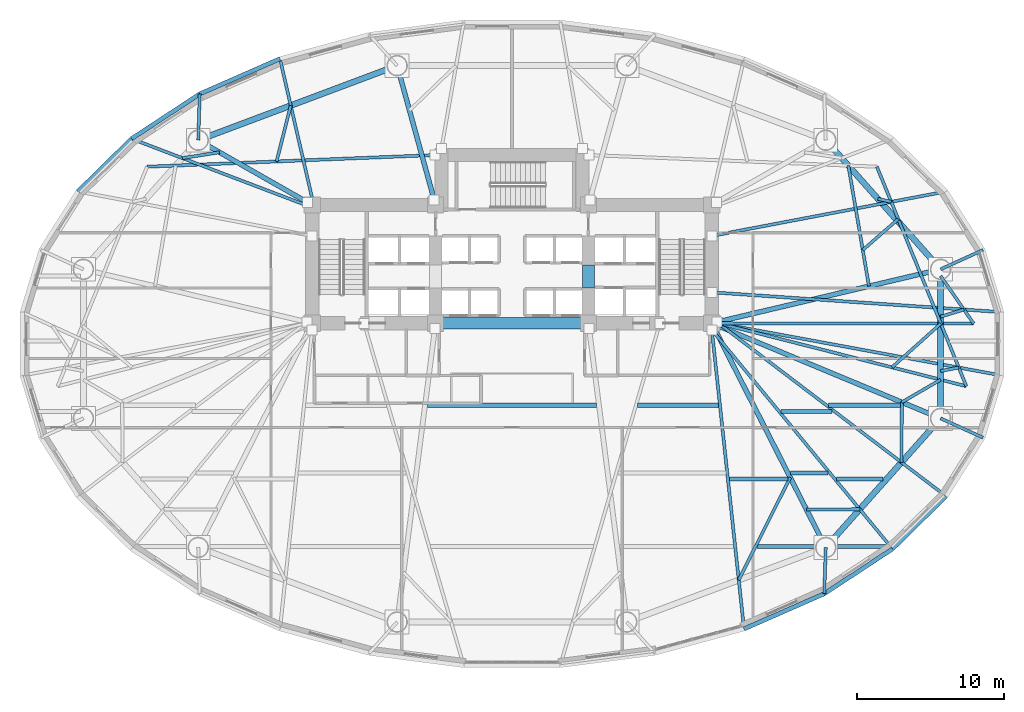
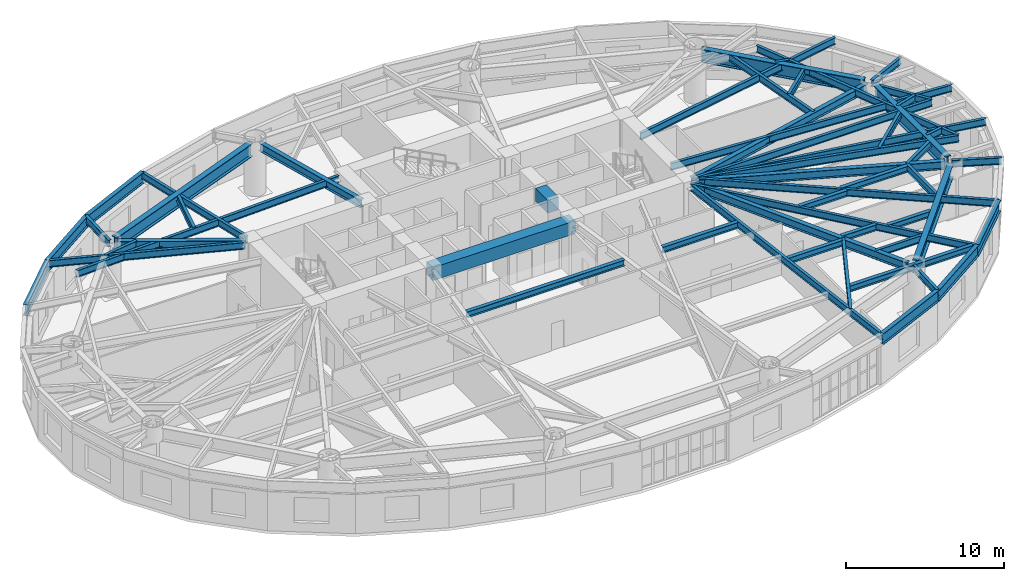
# One storey, part 5 of 18: 54 beams.
"""IFC4 building model written with IfcOpenShell, lengths in metres."""

from ifc_helpers import new_model, si_unit, direction, frame, origin, origin_2d, place, context, subcontext, project, spatial, rectangle, i_section, extrude, material, material_profile, profile_set, type_object, element, save


model = new_model("IFC4")

# Units and contexts
model_context = context("Model", 3, precision=1e-05, world=origin(), true_north=direction((0.0, 1.0)))
body_context = subcontext(model_context, "Body", "Model", "MODEL_VIEW")
ifc_project = project(units=[si_unit("LENGTHUNIT", "METRE"), si_unit("AREAUNIT", "SQUARE_METRE"), si_unit("VOLUMEUNIT", "CUBIC_METRE"), si_unit("PLANEANGLEUNIT", "RADIAN"), si_unit("MASSUNIT", "GRAM", prefix="KILO")], contexts=[model_context])

# Site, building, storey
site_placement = place(None, origin())
site = spatial("IfcSite", under=ifc_project, at=site_placement, CompositionType="ELEMENT")
building_placement = place(site_placement, origin())
building = spatial("IfcBuilding", under=site, at=building_placement, Name="Keldmark Tower", CompositionType="ELEMENT")
storey_placement = place(building_placement, frame((0.0, 0.0, 6.0)))
storey = spatial("IfcBuildingStorey", under=building, at=storey_placement, Name="L01", CompositionType="ELEMENT", Elevation=6.0)

# Beams
ifc_material_1 = material(Name="Steel ASTM A992 Grade 50", Category="steel")
ifc_material_profile_1 = material_profile(ifc_material_1, i_section(OverallWidth=0.280029296875, OverallDepth=0.462890625, WebThickness=0.0107421875, FlangeThickness=0.017333984375, at=origin_2d()), Name="W18X76")
ifc_profile_set_1 = profile_set([ifc_material_profile_1], Name="Steel ASTM A992 Grade 50")
beam_type_1 = type_object("IfcBeamType", Name="Composite Floor Joist W18X76", PredefinedType="JOIST", material=ifc_profile_set_1)
beam_1_placement = place(storey_placement, frame((16.68310546875, -13.800048828125, 3.74853515625), z_axis=(1.0, 0.0, 0.0), x_axis=(0.0, 1.0, 0.0)))
element("IfcBeam", 1, at=beam_1_placement, inside=storey, type_object=beam_type_1, Name="L01 Composite Floor Joist J05", PredefinedType="JOIST", context=body_context, shape_type="SweptSolid", body=[
    extrude(i_section(OverallWidth=0.280029296875, OverallDepth=0.462890625, WebThickness=0.0107421875, FlangeThickness=0.017333984375, at=origin_2d()), origin(), (0.0, 0.0, 1.0), 8.95751953125),
])
beam_2_placement = place(storey_placement, frame((14.789794921875, -9.199951171875, 3.74853515625), z_axis=(1.0, 0.0, 0.0), x_axis=(0.0, 1.0, 0.0)))
element("IfcBeam", 2, at=beam_2_placement, inside=storey, type_object=beam_type_1, Name="L01 Composite Floor Joist J11", PredefinedType="JOIST", context=body_context, shape_type="SweptSolid", body=[
    extrude(i_section(OverallWidth=0.280029296875, OverallDepth=0.462890625, WebThickness=0.0107421875, FlangeThickness=0.017333984375, at=origin_2d()), origin(), (0.0, 0.0, 1.0), 3.982421875),
])
beam_3_placement = place(storey_placement, frame((18.947265625, -8.780029296875, 3.74853515625), z_axis=(1.0, 0.0, 0.0), x_axis=(0.0, 1.0, 0.0)))
element("IfcBeam", 3, at=beam_3_placement, inside=storey, type_object=beam_type_1, Name="L01 Composite Floor Joist J12", PredefinedType="JOIST", context=body_context, shape_type="SweptSolid", body=[
    extrude(i_section(OverallWidth=0.280029296875, OverallDepth=0.462890625, WebThickness=0.0107421875, FlangeThickness=0.017333984375, at=origin_2d()), origin(), (0.0, 0.0, 1.0), 2.552734375),
])
beam_4_placement = place(storey_placement, frame((22.09814453125, -9.199951171875, 3.74853515625), z_axis=(1.0, 0.0, 0.0), x_axis=(0.0, 1.0, 0.0)))
element("IfcBeam", 4, at=beam_4_placement, inside=storey, type_object=beam_type_1, Name="L01 Composite Floor Joist J13", PredefinedType="JOIST", context=body_context, shape_type="SweptSolid", body=[
    extrude(i_section(OverallWidth=0.280029296875, OverallDepth=0.462890625, WebThickness=0.0107421875, FlangeThickness=0.017333984375, at=origin_2d()), origin(), (0.0, 0.0, 1.0), 3.142822265625),
])
beam_5_placement = place(storey_placement, frame((-5.76220703125, -4.179931640625, 3.74853515625), z_axis=(1.0, 0.0, 0.0), x_axis=(0.0, 1.0, 0.0)))
element("IfcBeam", 5, at=beam_5_placement, inside=storey, type_object=beam_type_1, Name="L01 Composite Floor Joist J18", PredefinedType="JOIST", context=body_context, shape_type="SweptSolid", body=[
    extrude(i_section(OverallWidth=0.280029296875, OverallDepth=0.462890625, WebThickness=0.0107421875, FlangeThickness=0.017333984375, at=origin_2d()), origin(), (0.0, 0.0, 1.0), 11.5244140625),
])
beam_6_placement = place(storey_placement, frame((8.540283203125, -4.179931640625, 3.74853515625), z_axis=(1.0, 0.0, 0.0), x_axis=(0.0, 1.0, 0.0)))
element("IfcBeam", 6, at=beam_6_placement, inside=storey, type_object=beam_type_1, Name="L01 Composite Floor Joist J19", PredefinedType="JOIST", context=body_context, shape_type="SweptSolid", body=[
    extrude(i_section(OverallWidth=0.280029296875, OverallDepth=0.462890625, WebThickness=0.0107421875, FlangeThickness=0.017333984375, at=origin_2d()), origin(), (0.0, 0.0, 1.0), 5.515625),
])
beam_7_placement = place(storey_placement, frame((18.303955078125, -4.60009765625, 3.74853515625), z_axis=(1.0, 0.0, 0.0), x_axis=(0.0, 1.0, 0.0)))
element("IfcBeam", 7, at=beam_7_placement, inside=storey, type_object=beam_type_1, Name="L01 Composite Floor Joist J20", PredefinedType="JOIST", context=body_context, shape_type="SweptSolid", body=[
    extrude(i_section(OverallWidth=0.280029296875, OverallDepth=0.462890625, WebThickness=0.0107421875, FlangeThickness=0.017333984375, at=origin_2d()), origin(), (0.0, 0.0, 1.0), 3.482177734375),
])
beam_8_placement = place(storey_placement, frame((21.55712890625, -4.179931640625, 3.74853515625), z_axis=(1.0, 0.0, 0.0), x_axis=(0.0, 1.0, 0.0)))
element("IfcBeam", 8, at=beam_8_placement, inside=storey, type_object=beam_type_1, Name="L01 Composite Floor Joist J21", PredefinedType="JOIST", context=body_context, shape_type="SweptSolid", body=[
    extrude(i_section(OverallWidth=0.280029296875, OverallDepth=0.462890625, WebThickness=0.0107421875, FlangeThickness=0.017333984375, at=origin_2d()), origin(), (0.0, 0.0, 1.0), 4.87646484375),
])
ifc_material_2 = material(Name="Concrete C70/85", Category="concrete")
ifc_material_profile_2 = material_profile(ifc_material_2, rectangle(XDim=0.800048828125, YDim=1.0, at=origin_2d()), Name="RCB800X1000")
ifc_profile_set_2 = profile_set([ifc_material_profile_2], Name="Concrete C70/85")
beam_type_2 = type_object("IfcBeamType", Name="Core Coupling Beam RCB800X1000", PredefinedType="USERDEFINED", material=ifc_profile_set_2)
beam_9_placement = place(storey_placement, frame((5.199951171875, 3.800048828125, 3.47998046875), z_axis=(0.0, 1.0, 0.0), x_axis=(-1.0, 0.0, 0.0)))
element("IfcBeam", 9, at=beam_9_placement, inside=storey, type_object=beam_type_2, Name="L01 East Core Coupling Beam", ObjectType="COUPLING BEAM", PredefinedType="USERDEFINED", context=body_context, shape_type="SweptSolid", body=[
    extrude(rectangle(XDim=0.800048828125, YDim=1.0, at=origin_2d()), origin(), (0.0, 0.0, 1.0), 1.550048828125),
])
beam_10_placement = place(storey_placement, frame((-5.199951171875, 1.39990234375, 3.47998046875), z_axis=(1.0, 0.0, 0.0), x_axis=(0.0, 1.0, 0.0)))
element("IfcBeam", 10, at=beam_10_placement, inside=storey, type_object=beam_type_2, Name="L01 Central South Core Coupling Beam", ObjectType="COUPLING BEAM", PredefinedType="USERDEFINED", context=body_context, shape_type="SweptSolid", body=[
    extrude(rectangle(XDim=0.800048828125, YDim=1.0, at=origin_2d()), origin(), (0.0, 0.0, 1.0), 10.39990234375),
])
ifc_material_3 = material(Name="Steel ASTM A992 Grade 50", Category="steel")
ifc_material_profile_3 = material_profile(ifc_material_3, i_section(OverallWidth=0.402099609375, OverallDepth=1.011962890625, WebThickness=0.023681640625, FlangeThickness=0.0419921875, at=origin_2d()), Name="W40X297")
ifc_profile_set_3 = profile_set([ifc_material_profile_3], Name="Steel ASTM A992 Grade 50")
beam_type_3 = type_object("IfcBeamType", Name="Podium Primary Girder W40X297", PredefinedType="BEAM", material=ifc_profile_set_3)
beam_11_placement = place(storey_placement, frame((28.871826171875, 5.4091796875, 3.47412109375), z_axis=(-0.66464984112, 0.747154996436, 0.0), x_axis=(-0.747154996436, -0.66464984112, 0.0)))
element("IfcBeam", 11, at=beam_11_placement, inside=storey, type_object=beam_type_3, Name="L01 Podium Ring Girder PG-R01", PredefinedType="BEAM", context=body_context, shape_type="SweptSolid", body=[
    extrude(i_section(OverallWidth=0.402099609375, OverallDepth=1.011962890625, WebThickness=0.023681640625, FlangeThickness=0.0419921875, at=origin_2d()), origin(), (0.0, 0.0, 1.0), 10.85986328125),
])
beam_12_placement = place(storey_placement, frame((-8.23779296875, 18.774169921875, 3.47412109375), z_axis=(-0.936417954382, -0.350886612329, 0.0), x_axis=(0.350886612329, -0.936417954382, 0.0)))
element("IfcBeam", 12, at=beam_12_placement, inside=storey, type_object=beam_type_3, Name="L01 Podium Ring Girder PG-R04", PredefinedType="BEAM", context=body_context, shape_type="SweptSolid", body=[
    extrude(i_section(OverallWidth=0.402099609375, OverallDepth=1.011962890625, WebThickness=0.023681640625, FlangeThickness=0.0419921875, at=origin_2d()), origin(), (0.0, 0.0, 1.0), 13.557373046875),
])
beam_13_placement = place(storey_placement, frame((21.65380859375, -13.523193359375, 3.47412109375), z_axis=(0.66464984112, 0.747154996436, 0.0), x_axis=(-0.747154996436, 0.66464984112, 0.0)))
element("IfcBeam", 13, at=beam_13_placement, inside=storey, type_object=beam_type_3, Name="L01 Podium Ring Girder PG-R11", PredefinedType="BEAM", context=body_context, shape_type="SweptSolid", body=[
    extrude(i_section(OverallWidth=0.402099609375, OverallDepth=1.011962890625, WebThickness=0.023681640625, FlangeThickness=0.0419921875, at=origin_2d()), origin(), (0.0, 0.0, 1.0), 10.85986328125),
])
beam_14_placement = place(storey_placement, frame((29.1708984375, -4.622802734375, 3.47412109375), z_axis=(0.0, 1.0, 0.0), x_axis=(-1.0, 0.0, 0.0)))
element("IfcBeam", 14, at=beam_14_placement, inside=storey, type_object=beam_type_3, Name="L01 Podium Ring Girder PG-R12", PredefinedType="BEAM", context=body_context, shape_type="SweptSolid", body=[
    extrude(i_section(OverallWidth=0.402099609375, OverallDepth=1.011962890625, WebThickness=0.023681640625, FlangeThickness=0.0419921875, at=origin_2d()), origin(), (0.0, 0.0, 1.0), 9.24560546875),
])
ifc_material_4 = material(Name="Steel ASTM A992 Grade 50", Category="steel")
ifc_material_profile_4 = material_profile(ifc_material_4, i_section(OverallWidth=0.2099609375, OverallDepth=0.537109375, WebThickness=0.010986328125, FlangeThickness=0.017333984375, at=origin_2d()), Name="W21X68")
ifc_profile_set_4 = profile_set([ifc_material_profile_4], Name="Steel ASTM A992 Grade 50")
beam_type_4 = type_object("IfcBeamType", Name="Radial Tie Girder W21X68", PredefinedType="BEAM", material=ifc_profile_set_4)
beam_15_placement = place(storey_placement, frame((24.29541015625, 3.9228515625, 3.71142578125), z_axis=(-0.168727090465, 0.985662806919, 0.0), x_axis=(-0.985662806919, -0.168727090465, 0.0)))
element("IfcBeam", 15, at=beam_15_placement, inside=storey, type_object=beam_type_4, Name="L01 Framing Pin Header PH-001", PredefinedType="BEAM", context=body_context, shape_type="SweptSolid", body=[
    extrude(i_section(OverallWidth=0.2099609375, OverallDepth=0.537109375, WebThickness=0.010986328125, FlangeThickness=0.017333984375, at=origin_2d()), origin(), (0.0, 0.0, 1.0), 8.330078125),
])
beam_16_placement = place(storey_placement, frame((-5.25, 12.85009765625, 3.71142578125), z_axis=(-0.999176318744, -0.040579355112, 0.0), x_axis=(0.040579355112, -0.999176318744, 0.0)))
element("IfcBeam", 16, at=beam_16_placement, inside=storey, type_object=beam_type_4, Name="L01 Sub-Ring Step Girder STP1-M06", PredefinedType="BEAM", context=body_context, shape_type="SweptSolid", body=[
    extrude(i_section(OverallWidth=0.2099609375, OverallDepth=0.537109375, WebThickness=0.010986328125, FlangeThickness=0.017333984375, at=origin_2d()), origin(), (0.0, 0.0, 1.0), 19.601318359375),
])
beam_17_placement = place(storey_placement, frame((26.53076171875, -3.975341796875, 3.71142578125), z_axis=(0.864583927723, 0.502488439591, 0.0), x_axis=(-0.502488439591, 0.864583927723, 0.0)))
element("IfcBeam", 17, at=beam_17_placement, inside=storey, type_object=beam_type_4, Name="L01 Framing Pin Header PH-004", PredefinedType="BEAM", context=body_context, shape_type="SweptSolid", body=[
    extrude(i_section(OverallWidth=0.2099609375, OverallDepth=0.537109375, WebThickness=0.010986328125, FlangeThickness=0.017333984375, at=origin_2d()), origin(), (0.0, 0.0, 1.0), 3.0537109375),
])
beam_18_placement = place(storey_placement, frame((14.050048828125, 1.39990234375, 3.71142578125), z_axis=(0.969223280707, -0.246183330336, 0.0), x_axis=(0.246183330336, 0.969223280707, 0.0)))
element("IfcBeam", 18, at=beam_18_placement, inside=storey, type_object=beam_type_4, Name="L01 Sub-Ring Step Girder STP1-M12", PredefinedType="BEAM", context=body_context, shape_type="SweptSolid", body=[
    extrude(i_section(OverallWidth=0.2099609375, OverallDepth=0.537109375, WebThickness=0.010986328125, FlangeThickness=0.017333984375, at=origin_2d()), origin(), (0.0, 0.0, 1.0), 17.409423828125),
])
beam_19_placement = place(storey_placement, frame((30.923583984375, -2.885986328125, 3.71142578125), z_axis=(-0.377373313858, 0.926061219352, 0.0), x_axis=(-0.926061219352, -0.377373313858, 0.0)))
element("IfcBeam", 19, at=beam_19_placement, inside=storey, type_object=beam_type_4, Name="L01 Perimeter Collector Ring Beam CRG1-M12", PredefinedType="BEAM", context=body_context, shape_type="SweptSolid", body=[
    extrude(i_section(OverallWidth=0.2099609375, OverallDepth=0.537109375, WebThickness=0.010986328125, FlangeThickness=0.017333984375, at=origin_2d()), origin(), (0.0, 0.0, 1.0), 16.133544921875),
])
beam_20_placement = place(storey_placement, frame((23.873779296875, 6.385986328125, 3.71142578125), z_axis=(0.75360521116, 0.657327304859, 0.0), x_axis=(-0.657327304859, 0.75360521116, 0.0)))
element("IfcBeam", 20, at=beam_20_placement, inside=storey, type_object=beam_type_4, Name="L01 Framing Pin Header PH-005", PredefinedType="BEAM", context=body_context, shape_type="SweptSolid", body=[
    extrude(i_section(OverallWidth=0.2099609375, OverallDepth=0.537109375, WebThickness=0.010986328125, FlangeThickness=0.017333984375, at=origin_2d()), origin(), (0.0, 0.0, 1.0), 3.20263671875),
])
beam_21_placement = place(storey_placement, frame((25.861328125, -1.60009765625, 3.71142578125), z_axis=(0.744769074926, 0.667322279737, 0.0), x_axis=(-0.667322279737, 0.744769074926, 0.0)))
element("IfcBeam", 21, at=beam_21_placement, inside=storey, type_object=beam_type_4, Name="L01 Framing Pin Header PH-007", PredefinedType="BEAM", context=body_context, shape_type="SweptSolid", body=[
    extrude(i_section(OverallWidth=0.2099609375, OverallDepth=0.537109375, WebThickness=0.010986328125, FlangeThickness=0.017333984375, at=origin_2d()), origin(), (0.0, 0.0, 1.0), 4.4638671875),
])
beam_22_placement = place(storey_placement, frame((14.050048828125, 1.39990234375, 3.71142578125), z_axis=(0.999999012479, -0.001405361477, 0.0), x_axis=(0.001405361477, 0.999999012479, 0.0)))
element("IfcBeam", 22, at=beam_22_placement, inside=storey, type_object=beam_type_4, Name="L01 Intermediate Radial Step Girder RT-01M", PredefinedType="BEAM", context=body_context, shape_type="SweptSolid", body=[
    extrude(i_section(OverallWidth=0.2099609375, OverallDepth=0.537109375, WebThickness=0.010986328125, FlangeThickness=0.017333984375, at=origin_2d()), origin(), (0.0, 0.0, 1.0), 17.3720703125),
])
beam_23_placement = place(storey_placement, frame((29.1708984375, 4.622802734375, 3.71142578125), z_axis=(0.569736780414, -0.821827233087, 0.0), x_axis=(0.821827233087, 0.569736780414, 0.0)))
element("IfcBeam", 23, at=beam_23_placement, inside=storey, type_object=beam_type_4, Name="L01 Local Collector Chord RT-01C", PredefinedType="BEAM", context=body_context, shape_type="SweptSolid", body=[
    extrude(i_section(OverallWidth=0.2099609375, OverallDepth=0.537109375, WebThickness=0.010986328125, FlangeThickness=0.017333984375, at=origin_2d()), origin(), (0.0, 0.0, 1.0), 3.951416015625),
])
beam_24_placement = place(storey_placement, frame((29.1708984375, 1.84912109375, 3.71142578125), z_axis=(0.956545506863, 0.291583081299, 0.0), x_axis=(-0.291583081299, 0.956545506863, 0.0)))
element("IfcBeam", 24, at=beam_24_placement, inside=storey, type_object=beam_type_4, Name="L01 Framing Pin Header PH-008", PredefinedType="BEAM", context=body_context, shape_type="SweptSolid", body=[
    extrude(i_section(OverallWidth=0.2099609375, OverallDepth=0.537109375, WebThickness=0.010986328125, FlangeThickness=0.017333984375, at=origin_2d()), origin(), (0.0, 0.0, 1.0), 1.659423828125),
])
beam_25_placement = place(storey_placement, frame((13.60009765625, 3.507080078125, 3.71142578125), z_axis=(0.99766727611, -0.068264237918, 0.0), x_axis=(0.068264237918, 0.99766727611, 0.0)))
element("IfcBeam", 25, at=beam_25_placement, inside=storey, type_object=beam_type_4, Name="L01 Perimeter Radial Tie Girder RT-01", PredefinedType="BEAM", context=body_context, shape_type="SweptSolid", body=[
    extrude(i_section(OverallWidth=0.2099609375, OverallDepth=0.537109375, WebThickness=0.010986328125, FlangeThickness=0.017333984375, at=origin_2d()), origin(), (0.0, 0.0, 1.0), 19.78466796875),
])
beam_26_placement = place(storey_placement, frame((29.1708984375, 5.072998046875, 3.71142578125), z_axis=(0.910237250682, 0.414087125458, 0.0), x_axis=(-0.414087125458, 0.910237250682, 0.0)))
element("IfcBeam", 26, at=beam_26_placement, inside=storey, type_object=beam_type_4, Name="L01 Perimeter Column Bracket RT-02", PredefinedType="BEAM", context=body_context, shape_type="SweptSolid", body=[
    extrude(i_section(OverallWidth=0.2099609375, OverallDepth=0.537109375, WebThickness=0.010986328125, FlangeThickness=0.017333984375, at=origin_2d()), origin(), (0.0, 0.0, 1.0), 3.17138671875),
])
beam_27_placement = place(storey_placement, frame((24.90185546875, 9.871826171875, 3.71142578125), z_axis=(0.974258642334, -0.225433133848, 0.0), x_axis=(0.225433133848, 0.974258642334, 0.0)))
element("IfcBeam", 27, at=beam_27_placement, inside=storey, type_object=beam_type_4, Name="L01 Framing Pin Header PH-009", PredefinedType="BEAM", context=body_context, shape_type="SweptSolid", body=[
    extrude(i_section(OverallWidth=0.2099609375, OverallDepth=0.537109375, WebThickness=0.010986328125, FlangeThickness=0.017333984375, at=origin_2d()), origin(), (0.0, 0.0, 1.0), 0.932373046875),
])
beam_28_placement = place(storey_placement, frame((13.60009765625, 7.343017578125, 3.71142578125), z_axis=(0.982445190552, 0.186551460894, 0.0), x_axis=(-0.186551460894, 0.982445190552, 0.0)))
element("IfcBeam", 28, at=beam_28_placement, inside=storey, type_object=beam_type_4, Name="L01 Perimeter Radial Tie Girder RT-03", PredefinedType="BEAM", context=body_context, shape_type="SweptSolid", body=[
    extrude(i_section(OverallWidth=0.2099609375, OverallDepth=0.537109375, WebThickness=0.010986328125, FlangeThickness=0.017333984375, at=origin_2d()), origin(), (0.0, 0.0, 1.0), 16.229248046875),
])
beam_29_placement = place(storey_placement, frame((-16.02197265625, 12.41259765625, 3.71142578125), z_axis=(0.245606779521, 0.969369542462, 0.0), x_axis=(-0.969369542462, 0.245606779521, 0.0)))
element("IfcBeam", 29, at=beam_29_placement, inside=storey, type_object=beam_type_4, Name="L01 Framing Pin Header PH-014", PredefinedType="BEAM", context=body_context, shape_type="SweptSolid", body=[
    extrude(i_section(OverallWidth=0.2099609375, OverallDepth=0.537109375, WebThickness=0.010986328125, FlangeThickness=0.017333984375, at=origin_2d()), origin(), (0.0, 0.0, 1.0), 3.926513671875),
])
beam_30_placement = place(storey_placement, frame((-13.60009765625, 9.89990234375, 3.71142578125), z_axis=(-0.224740658325, 0.974418614608, 0.0), x_axis=(-0.974418614608, -0.224740658325, 0.0)))
element("IfcBeam", 30, at=beam_30_placement, inside=storey, type_object=beam_type_4, Name="L01 Perimeter Radial Tie Girder RT-11", PredefinedType="BEAM", context=body_context, shape_type="SweptSolid", body=[
    extrude(i_section(OverallWidth=0.2099609375, OverallDepth=0.537109375, WebThickness=0.010986328125, FlangeThickness=0.017333984375, at=origin_2d()), origin(), (0.0, 0.0, 1.0), 9.751953125),
])
beam_31_placement = place(storey_placement, frame((-21.3544921875, 13.859375, 3.71142578125), z_axis=(0.032491176768, 0.999472022336, 0.0), x_axis=(-0.999472022336, 0.032491176768, 0.0)))
element("IfcBeam", 31, at=beam_31_placement, inside=storey, type_object=beam_type_4, Name="L01 Perimeter Column Bracket RT-12", PredefinedType="BEAM", context=body_context, shape_type="SweptSolid", body=[
    extrude(i_section(OverallWidth=0.2099609375, OverallDepth=0.537109375, WebThickness=0.010986328125, FlangeThickness=0.017333984375, at=origin_2d()), origin(), (0.0, 0.0, 1.0), 3.1484375),
])
beam_32_placement = place(storey_placement, frame((-19.904541015625, 13.034912109375, 3.71142578125), z_axis=(-0.988136063904, -0.153580985843, 0.0), x_axis=(0.153580985843, -0.988136063904, 0.0)))
element("IfcBeam", 32, at=beam_32_placement, inside=storey, type_object=beam_type_4, Name="L01 Framing Pin Header PH-015", PredefinedType="BEAM", context=body_context, shape_type="SweptSolid", body=[
    extrude(i_section(OverallWidth=0.2099609375, OverallDepth=0.537109375, WebThickness=0.010986328125, FlangeThickness=0.017333984375, at=origin_2d()), origin(), (0.0, 0.0, 1.0), 2.564208984375),
])
beam_33_placement = place(storey_placement, frame((-14.050048828125, 9.449951171875, 3.71142578125), z_axis=(-0.934642662924, 0.355588375293, 0.0), x_axis=(-0.355588375293, -0.934642662924, 0.0)))
element("IfcBeam", 33, at=beam_33_placement, inside=storey, type_object=beam_type_4, Name="L01 Perimeter Radial Tie Girder RT-13", PredefinedType="BEAM", context=body_context, shape_type="SweptSolid", body=[
    extrude(i_section(OverallWidth=0.2099609375, OverallDepth=0.537109375, WebThickness=0.010986328125, FlangeThickness=0.017333984375, at=origin_2d()), origin(), (0.0, 0.0, 1.0), 12.67431640625),
])
beam_34_placement = place(storey_placement, frame((18.93310546875, -9.09423828125, 3.71142578125), z_axis=(-0.447976051769, -0.894045556469, 0.0), x_axis=(0.894045556469, -0.447976051769, 0.0)))
element("IfcBeam", 34, at=beam_34_placement, inside=storey, type_object=beam_type_4, Name="L01 Framing Pin Header PH-024", PredefinedType="BEAM", context=body_context, shape_type="SweptSolid", body=[
    extrude(i_section(OverallWidth=0.2099609375, OverallDepth=0.537109375, WebThickness=0.010986328125, FlangeThickness=0.017333984375, at=origin_2d()), origin(), (0.0, 0.0, 1.0), 7.811279296875),
])
beam_35_placement = place(storey_placement, frame((13.60009765625, 0.949951171875, 3.71142578125), z_axis=(0.10706666985, -0.994251843452, 0.0), x_axis=(0.994251843452, 0.10706666985, 0.0)))
element("IfcBeam", 35, at=beam_35_placement, inside=storey, type_object=beam_type_4, Name="L01 Perimeter Radial Tie Girder RT-27", PredefinedType="BEAM", context=body_context, shape_type="SweptSolid", body=[
    extrude(i_section(OverallWidth=0.2099609375, OverallDepth=0.537109375, WebThickness=0.010986328125, FlangeThickness=0.017333984375, at=origin_2d()), origin(), (0.0, 0.0, 1.0), 20.469970703125),
])
beam_36_placement = place(storey_placement, frame((21.3544921875, -13.859375, 3.71142578125), z_axis=(-0.032491176768, -0.999472022336, 0.0), x_axis=(0.999472022336, -0.032491176768, 0.0)))
element("IfcBeam", 36, at=beam_36_placement, inside=storey, type_object=beam_type_4, Name="L01 Perimeter Column Bracket RT-28", PredefinedType="BEAM", context=body_context, shape_type="SweptSolid", body=[
    extrude(i_section(OverallWidth=0.2099609375, OverallDepth=0.537109375, WebThickness=0.010986328125, FlangeThickness=0.017333984375, at=origin_2d()), origin(), (0.0, 0.0, 1.0), 3.1484375),
])
beam_37_placement = place(storey_placement, frame((20.0419921875, -11.276123046875, 3.71142578125), z_axis=(0.999986569863, 0.005182672537, 0.0), x_axis=(-0.005182672537, 0.999986569863, 0.0)))
element("IfcBeam", 37, at=beam_37_placement, inside=storey, type_object=beam_type_4, Name="L01 Framing Pin Header PH-025", PredefinedType="BEAM", context=body_context, shape_type="SweptSolid", body=[
    extrude(i_section(OverallWidth=0.2099609375, OverallDepth=0.537109375, WebThickness=0.010986328125, FlangeThickness=0.017333984375, at=origin_2d()), origin(), (0.0, 0.0, 1.0), 3.627197265625),
])
beam_38_placement = place(storey_placement, frame((13.60009765625, 0.949951171875, 3.71142578125), z_axis=(0.636316421227, -0.771428163912, 0.0), x_axis=(0.771428163912, 0.636316421227, 0.0)))
element("IfcBeam", 38, at=beam_38_placement, inside=storey, type_object=beam_type_4, Name="L01 Perimeter Radial Tie Girder RT-29", PredefinedType="BEAM", context=body_context, shape_type="SweptSolid", body=[
    extrude(i_section(OverallWidth=0.2099609375, OverallDepth=0.537109375, WebThickness=0.010986328125, FlangeThickness=0.017333984375, at=origin_2d()), origin(), (0.0, 0.0, 1.0), 19.323486328125),
])
beam_39_placement = place(storey_placement, frame((26.53076171875, -3.975341796875, 3.71142578125), z_axis=(-0.005253345215, -0.999986201087, 0.0), x_axis=(0.999986201087, -0.005253345215, 0.0)))
element("IfcBeam", 39, at=beam_39_placement, inside=storey, type_object=beam_type_4, Name="L01 Framing Pin Header PH-026", PredefinedType="BEAM", context=body_context, shape_type="SweptSolid", body=[
    extrude(i_section(OverallWidth=0.2099609375, OverallDepth=0.537109375, WebThickness=0.010986328125, FlangeThickness=0.017333984375, at=origin_2d()), origin(), (0.0, 0.0, 1.0), 4.089599609375),
])
beam_40_placement = place(storey_placement, frame((14.050048828125, 1.39990234375, 3.71142578125), z_axis=(0.796291526481, -0.604913055616, 0.0), x_axis=(0.604913055616, 0.796291526481, 0.0)))
element("IfcBeam", 40, at=beam_40_placement, inside=storey, type_object=beam_type_4, Name="L01 Perimeter Radial Tie Girder RT-30", PredefinedType="BEAM", context=body_context, shape_type="SweptSolid", body=[
    extrude(i_section(OverallWidth=0.2099609375, OverallDepth=0.537109375, WebThickness=0.010986328125, FlangeThickness=0.017333984375, at=origin_2d()), origin(), (0.0, 0.0, 1.0), 19.458251953125),
])
beam_41_placement = place(storey_placement, frame((29.1708984375, -5.072998046875, 3.71142578125), z_axis=(0.910237250682, -0.414087125458, 0.0), x_axis=(0.414087125458, 0.910237250682, 0.0)))
element("IfcBeam", 41, at=beam_41_placement, inside=storey, type_object=beam_type_4, Name="L01 Perimeter Column Bracket RT-31", PredefinedType="BEAM", context=body_context, shape_type="SweptSolid", body=[
    extrude(i_section(OverallWidth=0.2099609375, OverallDepth=0.537109375, WebThickness=0.010986328125, FlangeThickness=0.017333984375, at=origin_2d()), origin(), (0.0, 0.0, 1.0), 3.17138671875),
])
beam_42_placement = place(storey_placement, frame((29.1708984375, -1.84912109375, 3.71142578125), z_axis=(0.982609535438, 0.185683873469, 0.0), x_axis=(-0.185683873469, 0.982609535438, 0.0)))
element("IfcBeam", 42, at=beam_42_placement, inside=storey, type_object=beam_type_4, Name="L01 Framing Pin Header PH-027", PredefinedType="BEAM", context=body_context, shape_type="SweptSolid", body=[
    extrude(i_section(OverallWidth=0.2099609375, OverallDepth=0.537109375, WebThickness=0.010986328125, FlangeThickness=0.017333984375, at=origin_2d()), origin(), (0.0, 0.0, 1.0), 1.257080078125),
])
beam_43_placement = place(storey_placement, frame((14.050048828125, 1.39990234375, 3.71142578125), z_axis=(0.983423761945, -0.181322101363, 0.0), x_axis=(0.181322101363, 0.983423761945, 0.0)))
element("IfcBeam", 43, at=beam_43_placement, inside=storey, type_object=beam_type_4, Name="L01 Perimeter Radial Tie Girder RT-32", PredefinedType="BEAM", context=body_context, shape_type="SweptSolid", body=[
    extrude(i_section(OverallWidth=0.2099609375, OverallDepth=0.537109375, WebThickness=0.010986328125, FlangeThickness=0.017333984375, at=origin_2d()), origin(), (0.0, 0.0, 1.0), 19.61376953125),
])
ifc_material_5 = material(Name="Steel ASTM A992 Grade 50", Category="steel")
ifc_material_profile_5 = material_profile(ifc_material_5, i_section(OverallWidth=0.326904296875, OverallDepth=0.6220703125, WebThickness=0.015380859375, FlangeThickness=0.0244140625, at=origin_2d()), Name="W24X131")
ifc_profile_set_5 = profile_set([ifc_material_profile_5], Name="Steel ASTM A992 Grade 50")
beam_type_5 = type_object("IfcBeamType", Name="Spandrel Ring Beam W24X131", PredefinedType="SPANDREL", material=ifc_profile_set_5)
beam_44_placement = place(storey_placement, frame((28.73291015625, 4.969482421875, 3.6689453125), z_axis=(-0.973292516513, -0.229568458854, 0.0), x_axis=(0.229568458854, -0.973292516513, 0.0)))
element("IfcBeam", 44, at=beam_44_placement, inside=storey, type_object=beam_type_5, Name="L01 Podium Radial Girder PG-C01", PredefinedType="SPANDREL", context=body_context, shape_type="SweptSolid", body=[
    extrude(i_section(OverallWidth=0.326904296875, OverallDepth=0.6220703125, WebThickness=0.015380859375, FlangeThickness=0.0244140625, at=origin_2d()), origin(), (0.0, 0.0, 1.0), 15.1982421875),
])
beam_45_placement = place(storey_placement, frame((-7.696533203125, 18.498291015625, 3.6689453125), z_axis=(0.265960165124, -0.963984019871, 0.0), x_axis=(0.963984019871, 0.265960165124, 0.0)))
element("IfcBeam", 45, at=beam_45_placement, inside=storey, type_object=beam_type_5, Name="L01 Podium Radial Girder PG-C04", PredefinedType="SPANDREL", context=body_context, shape_type="SweptSolid", body=[
    extrude(i_section(OverallWidth=0.326904296875, OverallDepth=0.6220703125, WebThickness=0.015380859375, FlangeThickness=0.0244140625, at=origin_2d()), origin(), (0.0, 0.0, 1.0), 9.036376953125),
])
beam_46_placement = place(storey_placement, frame((-20.96337890625, 13.636962890625, 3.6689453125), z_axis=(0.869293918493, -0.494295542434, 0.0), x_axis=(0.494295542434, 0.869293918493, 0.0)))
element("IfcBeam", 46, at=beam_46_placement, inside=storey, type_object=beam_type_5, Name="L01 Podium Radial Girder PG-C05", PredefinedType="SPANDREL", context=body_context, shape_type="SweptSolid", body=[
    extrude(i_section(OverallWidth=0.326904296875, OverallDepth=0.6220703125, WebThickness=0.015380859375, FlangeThickness=0.0244140625, at=origin_2d()), origin(), (0.0, 0.0, 1.0), 8.120361328125),
])
beam_47_placement = place(storey_placement, frame((21.150634765625, -13.4580078125, 3.6689453125), z_axis=(-0.45304555932, 0.891487364566, 0.0), x_axis=(-0.891487364566, -0.45304555932, 0.0)))
element("IfcBeam", 47, at=beam_47_placement, inside=storey, type_object=beam_type_5, Name="L01 Podium Radial Girder PG-C11", PredefinedType="SPANDREL", context=body_context, shape_type="SweptSolid", body=[
    extrude(i_section(OverallWidth=0.326904296875, OverallDepth=0.6220703125, WebThickness=0.015380859375, FlangeThickness=0.0244140625, at=origin_2d()), origin(), (0.0, 0.0, 1.0), 16.31640625),
])
beam_48_placement = place(storey_placement, frame((28.755615234375, -4.900146484375, 3.6689453125), z_axis=(-0.923395872542, 0.383849010123, 0.0), x_axis=(-0.383849010123, -0.923395872542, 0.0)))
element("IfcBeam", 48, at=beam_48_placement, inside=storey, type_object=beam_type_5, Name="L01 Podium Radial Girder PG-C12", PredefinedType="SPANDREL", context=body_context, shape_type="SweptSolid", body=[
    extrude(i_section(OverallWidth=0.326904296875, OverallDepth=0.6220703125, WebThickness=0.015380859375, FlangeThickness=0.0244140625, at=origin_2d()), origin(), (0.0, 0.0, 1.0), 16.06298828125),
])
ifc_material_6 = material(Name="Steel ASTM A992 Grade 50", Category="steel")
ifc_material_profile_6 = material_profile(ifc_material_6, i_section(OverallWidth=0.2919921875, OverallDepth=0.85888671875, WebThickness=0.01708984375, FlangeThickness=0.031005859375, at=origin_2d()), Name="W33X169")
ifc_profile_set_6 = profile_set([ifc_material_profile_6], Name="Steel ASTM A992 Grade 50")
beam_type_6 = type_object("IfcBeamType", Name="Spandrel Ring Beam W33X169", PredefinedType="SPANDREL", material=ifc_profile_set_6)
beam_49_placement = place(storey_placement, frame((-15.791748046875, 19.40234375, 3.550537109375), z_axis=(-0.91570760638, -0.401845218484, 0.0), x_axis=(0.401845218484, -0.91570760638, 0.0)))
element("IfcBeam", 49, at=beam_49_placement, inside=storey, type_object=beam_type_6, Name="L01 Perimeter Spandrel Ring Beam SRB-11", PredefinedType="SPANDREL", context=body_context, shape_type="SweptSolid", body=[
    extrude(i_section(OverallWidth=0.2919921875, OverallDepth=0.85888671875, WebThickness=0.01708984375, FlangeThickness=0.031005859375, at=origin_2d()), origin(), (0.0, 0.0, 1.0), 5.963134765625),
])
beam_50_placement = place(storey_placement, frame((-21.252197265625, 17.006103515625, 3.550537109375), z_axis=(-0.835897322981, -0.548885840073, 0.0), x_axis=(0.548885840073, -0.835897322981, 0.0)))
element("IfcBeam", 50, at=beam_50_placement, inside=storey, type_object=beam_type_6, Name="L01 Perimeter Spandrel Ring Beam SRB-12", PredefinedType="SPANDREL", context=body_context, shape_type="SweptSolid", body=[
    extrude(i_section(OverallWidth=0.2919921875, OverallDepth=0.85888671875, WebThickness=0.01708984375, FlangeThickness=0.031005859375, at=origin_2d()), origin(), (0.0, 0.0, 1.0), 5.555419921875),
])
beam_51_placement = place(storey_placement, frame((-25.89599609375, 13.956787109375, 3.550537109375), z_axis=(-0.713165222071, -0.700995981464, 0.0), x_axis=(0.700995981464, -0.713165222071, 0.0)))
element("IfcBeam", 51, at=beam_51_placement, inside=storey, type_object=beam_type_6, Name="L01 Perimeter Spandrel Ring Beam SRB-13", PredefinedType="SPANDREL", context=body_context, shape_type="SweptSolid", body=[
    extrude(i_section(OverallWidth=0.2919921875, OverallDepth=0.85888671875, WebThickness=0.01708984375, FlangeThickness=0.031005859375, at=origin_2d()), origin(), (0.0, 0.0, 1.0), 5.11572265625),
])
beam_52_placement = place(storey_placement, frame((15.791748046875, -19.40234375, 3.550537109375), z_axis=(0.91570760638, 0.401845218484, 0.0), x_axis=(-0.401845218484, 0.91570760638, 0.0)))
element("IfcBeam", 52, at=beam_52_placement, inside=storey, type_object=beam_type_6, Name="L01 Perimeter Spandrel Ring Beam SRB-27", PredefinedType="SPANDREL", context=body_context, shape_type="SweptSolid", body=[
    extrude(i_section(OverallWidth=0.2919921875, OverallDepth=0.85888671875, WebThickness=0.01708984375, FlangeThickness=0.031005859375, at=origin_2d()), origin(), (0.0, 0.0, 1.0), 5.963134765625),
])
beam_53_placement = place(storey_placement, frame((21.252197265625, -17.006103515625, 3.550537109375), z_axis=(0.835897322981, 0.548885840073, 0.0), x_axis=(-0.548885840073, 0.835897322981, 0.0)))
element("IfcBeam", 53, at=beam_53_placement, inside=storey, type_object=beam_type_6, Name="L01 Perimeter Spandrel Ring Beam SRB-28", PredefinedType="SPANDREL", context=body_context, shape_type="SweptSolid", body=[
    extrude(i_section(OverallWidth=0.2919921875, OverallDepth=0.85888671875, WebThickness=0.01708984375, FlangeThickness=0.031005859375, at=origin_2d()), origin(), (0.0, 0.0, 1.0), 5.555419921875),
])
beam_54_placement = place(storey_placement, frame((25.89599609375, -13.956787109375, 3.550537109375), z_axis=(0.713165222071, 0.700995981464, 0.0), x_axis=(-0.700995981464, 0.713165222071, 0.0)))
element("IfcBeam", 54, at=beam_54_placement, inside=storey, type_object=beam_type_6, Name="L01 Perimeter Spandrel Ring Beam SRB-29", PredefinedType="SPANDREL", context=body_context, shape_type="SweptSolid", body=[
    extrude(i_section(OverallWidth=0.2919921875, OverallDepth=0.85888671875, WebThickness=0.01708984375, FlangeThickness=0.031005859375, at=origin_2d()), origin(), (0.0, 0.0, 1.0), 5.11572265625),
])

save(model, "model.ifc")
